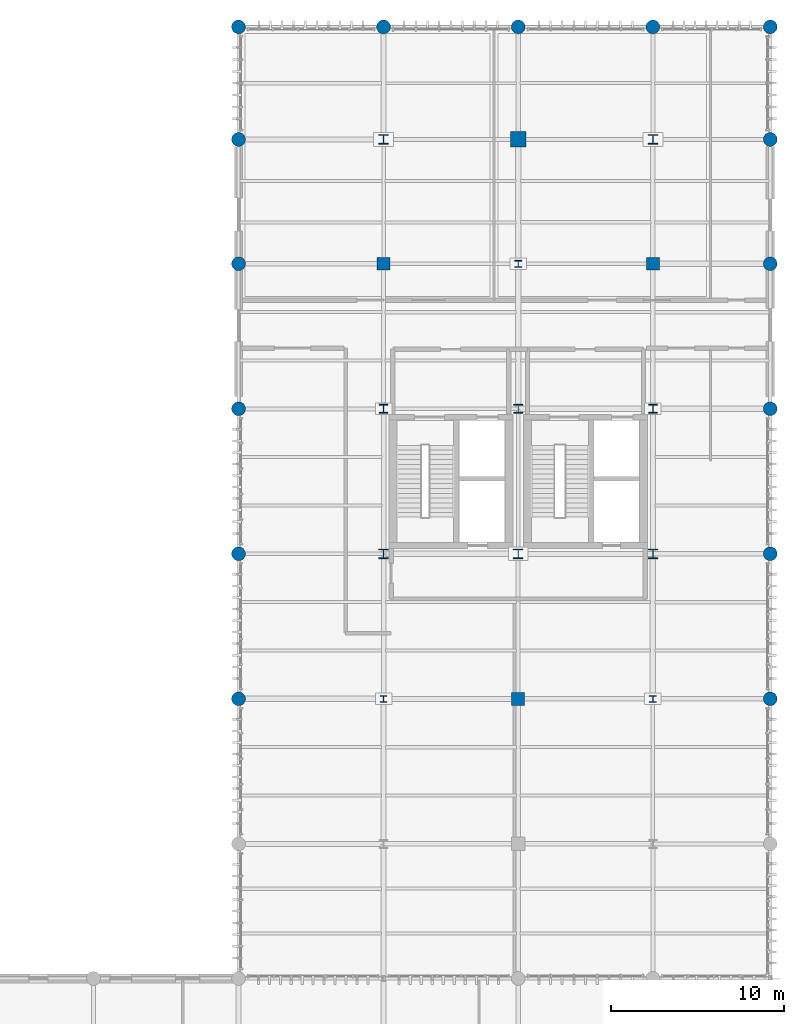
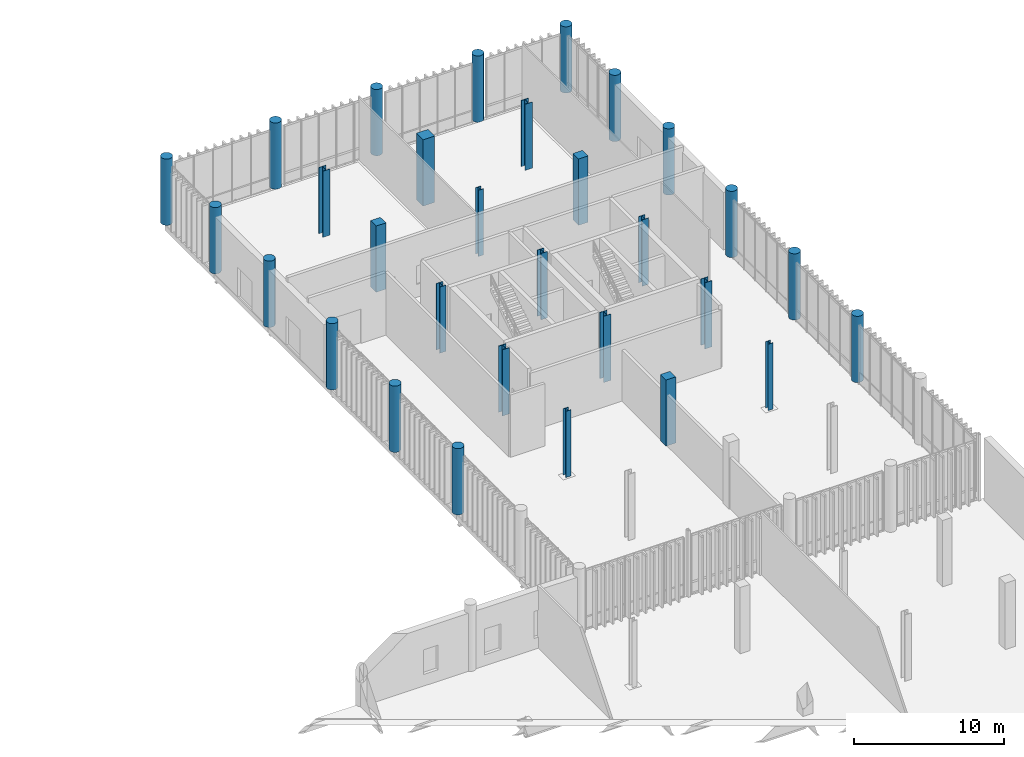
# One storey, part 13 of 112: 30 columns.
"""IFC4 building model written with IfcOpenShell, lengths in metres."""

from ifc_helpers import new_model, si_unit, direction, frame, origin_with_axes, origin_2d_with_axis, place, context, subcontext, project, spatial, rectangle, circle, i_section, extrude, material, material_profile, profile_set, type_object, element, save


model = new_model("IFC4")

# Units and contexts
model_context = context("Model", 3, precision=1e-05, world=origin_with_axes(), true_north=direction((0.0, 1.0)))
body_context = subcontext(model_context, "Body", "Model", "MODEL_VIEW")
ifc_project = project(units=[si_unit("LENGTHUNIT", "METRE"), si_unit("AREAUNIT", "SQUARE_METRE"), si_unit("VOLUMEUNIT", "CUBIC_METRE"), si_unit("PLANEANGLEUNIT", "RADIAN"), si_unit("MASSUNIT", "GRAM", prefix="KILO"), si_unit("THERMODYNAMICTEMPERATUREUNIT", "KELVIN")], contexts=[model_context])

# Site, building, storey
site_placement = place(None, origin_with_axes())
site = spatial("IfcSite", under=ifc_project, at=site_placement, CompositionType="ELEMENT")
building_placement = place(site_placement, origin_with_axes())
building = spatial("IfcBuilding", under=site, at=building_placement, Name="Montbau Bow Law Courts", CompositionType="ELEMENT")
storey_placement = place(building_placement, origin_with_axes())
storey = spatial("IfcBuildingStorey", under=building, at=storey_placement, Name="L00", CompositionType="ELEMENT", Elevation=0.0)

# Columns
ifc_material_1 = material(Name="Concrete CSA A23.1 f'c 45 MPa", Category="concrete")
ifc_material_profile_1 = material_profile(ifc_material_1, rectangle(XDim=0.9, YDim=0.9, at=origin_2d_with_axis()), Name="RC900X900", Category="Main", Priority=0)
ifc_profile_set_1 = profile_set([ifc_material_profile_1], Name="Concrete CSA A23.1 f'c 45 MPa")
column_type_1 = type_object("IfcColumnType", Name="C-RC-01", PredefinedType="COLUMN", material=ifc_profile_set_1)
column_placement = place(None, frame((154.8, 110.4, 0.0), z_axis=(0.0, 0.0, 1.0), x_axis=(1.0, 0.0, 0.0)))
element("IfcColumn", 1, at=column_placement, inside=storey, type_object=column_type_1, Name="C-L00-S0327:col2_0327", PredefinedType="COLUMN", context=body_context, shape_type="SweptSolid", body=[
    extrude(rectangle(XDim=0.9, YDim=0.9, at=origin_2d_with_axis()), origin_with_axes(), (0.0, 0.0, 1.0), 5.4),
])
ifc_material_2 = material(Name="Concrete CSA A23.1 f'c 40 MPa", Category="concrete")
ifc_material_profile_2 = material_profile(ifc_material_2, rectangle(XDim=0.75, YDim=0.75, at=origin_2d_with_axis()), Name="RC750X750", Category="Main", Priority=0)
ifc_profile_set_2 = profile_set([ifc_material_profile_2], Name="Concrete CSA A23.1 f'c 40 MPa")
column_type_2 = type_object("IfcColumnType", Name="C-RC-03", PredefinedType="COLUMN", material=ifc_profile_set_2)
for number, where, z_axis, x_axis, name in (
    (2, (147.0, 103.2, 0.0), (0.0, 0.0, 1.0), (1.0, 0.0, 0.0), "C-L00-S0311:col2_0311"),
    (3, (154.8, 78.0, 0.0), (0.0, 0.0, 1.0), (1.0, 0.0, 0.0), "C-L00-S0323:col2_0323"),
    (4, (162.6, 103.2, 0.0), (0.0, 0.0, 1.0), (1.0, 0.0, 0.0), "C-L00-S0341:col2_0341"),
):
    element("IfcColumn", number, at=place(None, frame(where, z_axis=z_axis, x_axis=x_axis)), inside=storey, type_object=column_type_2, Name=name, PredefinedType="COLUMN", context=body_context, shape_type="SweptSolid", body=[
        extrude(rectangle(XDim=0.75, YDim=0.75, at=origin_2d_with_axis()), origin_with_axes(), (0.0, 0.0, 1.0), 5.4),
    ])
ifc_material_profile_3 = material_profile(ifc_material_2, circle(Radius=0.4, at=origin_2d_with_axis()), Name="RC800D", Category="Main", Priority=0)
ifc_profile_set_3 = profile_set([ifc_material_profile_3], Name="Concrete CSA A23.1 f'c 40 MPa")
column_type_3 = type_object("IfcColumnType", Name="C-RC-07", PredefinedType="COLUMN", material=ifc_profile_set_3)
for number, where, z_axis, x_axis, name in (
    (5, (138.6, 78.0, 0.0), (0.0, 0.0, 1.0), (1.0, 0.0, 0.0), "C-L00-S0293:col2_0293"),
    (6, (138.6, 86.4, 0.0), (0.0, 0.0, 1.0), (1.0, 0.0, 0.0), "C-L00-S0294:col2_0294"),
    (7, (138.6, 94.8, 0.0), (0.0, 0.0, 1.0), (1.0, 0.0, 0.0), "C-L00-S0295:col2_0295"),
    (8, (138.6, 103.2, 0.0), (0.0, 0.0, 1.0), (1.0, 0.0, 0.0), "C-L00-S0296:col2_0296"),
    (9, (138.6, 110.4, 0.0), (0.0, 0.0, 1.0), (1.0, 0.0, 0.0), "C-L00-S0297:col2_0297"),
    (10, (138.6, 116.92, 0.0), (0.0, 0.0, 1.0), (1.0, 0.0, 0.0), "C-L00-S0298:col2_0298"),
    (11, (147.0, 116.92, 0.0), (0.0, 0.0, 1.0), (1.0, 0.0, 0.0), "C-L00-S0313:col2_0313"),
    (12, (154.8, 116.92, 0.0), (0.0, 0.0, 1.0), (1.0, 0.0, 0.0), "C-L00-S0328:col2_0328"),
    (13, (162.6, 116.92, 0.0), (0.0, 0.0, 1.0), (1.0, 0.0, 0.0), "C-L00-S0343:col2_0343"),
    (14, (169.4, 78.0, 0.0), (0.0, 0.0, 1.0), (1.0, 0.0, 0.0), "C-L00-S0353:col2_0353"),
    (15, (169.4, 86.4, 0.0), (0.0, 0.0, 1.0), (1.0, 0.0, 0.0), "C-L00-S0354:col2_0354"),
    (16, (169.4, 94.8, 0.0), (0.0, 0.0, 1.0), (1.0, 0.0, 0.0), "C-L00-S0355:col2_0355"),
    (17, (169.4, 103.2, 0.0), (0.0, 0.0, 1.0), (1.0, 0.0, 0.0), "C-L00-S0356:col2_0356"),
    (18, (169.4, 110.4, 0.0), (0.0, 0.0, 1.0), (1.0, 0.0, 0.0), "C-L00-S0357:col2_0357"),
    (19, (169.4, 116.92, 0.0), (0.0, 0.0, 1.0), (1.0, 0.0, 0.0), "C-L00-S0358:col2_0358"),
):
    element("IfcColumn", number, at=place(None, frame(where, z_axis=z_axis, x_axis=x_axis)), inside=storey, type_object=column_type_3, Name=name, PredefinedType="COLUMN", context=body_context, shape_type="SweptSolid", body=[
        extrude(circle(Radius=0.4, at=origin_2d_with_axis()), origin_with_axes(), (0.0, 0.0, 1.0), 5.4),
    ])
ifc_material_3 = material(Name="Steel CSA G40.21 Grade 350W (350 MPa)", Category="steel")
ifc_material_profile_4 = material_profile(ifc_material_3, i_section(OverallWidth=0.55, OverallDepth=0.55, WebThickness=0.025, FlangeThickness=0.042, at=origin_2d_with_axis()), Name="WWF550X420", Category="Main", Priority=0)
ifc_profile_set_4 = profile_set([ifc_material_profile_4], Name="Steel CSA G40.21 Grade 350W (350 MPa)")
column_type_4 = type_object("IfcColumnType", Name="C-STL-01", PredefinedType="COLUMN", material=ifc_profile_set_4)
for number, where, z_axis, x_axis, name in (
    (20, (147.0, 86.4, 0.0), (0.0, 0.0, 1.0), (1.0, 0.0, 0.0), "C-L00-S0309:col2_0309"),
    (21, (147.0, 110.4, 0.0), (0.0, 0.0, 1.0), (1.0, 0.0, 0.0), "C-L00-S0312:col2_0312"),
    (22, (154.8, 86.4, 0.0), (0.0, 0.0, 1.0), (1.0, 0.0, 0.0), "C-L00-S0324:col2_0324"),
    (23, (162.6, 86.4, 0.0), (0.0, 0.0, 1.0), (1.0, 0.0, 0.0), "C-L00-S0339:col2_0339"),
    (24, (162.6, 110.4, 0.0), (0.0, 0.0, 1.0), (1.0, 0.0, 0.0), "C-L00-S0342:col2_0342"),
):
    element("IfcColumn", number, at=place(None, frame(where, z_axis=z_axis, x_axis=x_axis)), inside=storey, type_object=column_type_4, Name=name, PredefinedType="COLUMN", context=body_context, shape_type="SweptSolid", body=[
        extrude(i_section(OverallWidth=0.55, OverallDepth=0.55, WebThickness=0.025, FlangeThickness=0.042, at=origin_2d_with_axis()), origin_with_axes(), (0.0, 0.0, 1.0), 5.4),
    ])
ifc_material_profile_5 = material_profile(ifc_material_3, i_section(OverallWidth=0.5, OverallDepth=0.5, WebThickness=0.022, FlangeThickness=0.036, at=origin_2d_with_axis()), Name="WWF500X343", Category="Main", Priority=0)
ifc_profile_set_5 = profile_set([ifc_material_profile_5], Name="Steel CSA G40.21 Grade 350W (350 MPa)")
column_type_5 = type_object("IfcColumnType", Name="C-STL-02", PredefinedType="COLUMN", material=ifc_profile_set_5)
for number, where, z_axis, x_axis, name in (
    (25, (147.0, 94.8, 0.0), (0.0, 0.0, 1.0), (1.0, 0.0, 0.0), "C-L00-S0310:col2_0310"),
    (26, (154.8, 94.8, 0.0), (0.0, 0.0, 1.0), (1.0, 0.0, 0.0), "C-L00-S0325:col2_0325"),
    (27, (162.6, 94.8, 0.0), (0.0, 0.0, 1.0), (1.0, 0.0, 0.0), "C-L00-S0340:col2_0340"),
):
    element("IfcColumn", number, at=place(None, frame(where, z_axis=z_axis, x_axis=x_axis)), inside=storey, type_object=column_type_5, Name=name, PredefinedType="COLUMN", context=body_context, shape_type="SweptSolid", body=[
        extrude(i_section(OverallWidth=0.5, OverallDepth=0.5, WebThickness=0.022, FlangeThickness=0.036, at=origin_2d_with_axis()), origin_with_axes(), (0.0, 0.0, 1.0), 5.4),
    ])
ifc_material_profile_6 = material_profile(ifc_material_3, i_section(OverallWidth=0.395, OverallDepth=0.38, WebThickness=0.0189, FlangeThickness=0.0302, at=origin_2d_with_axis()), Name="W360X237", Category="Main", Priority=0)
ifc_profile_set_6 = profile_set([ifc_material_profile_6], Name="Steel CSA G40.21 Grade 350W (350 MPa)")
column_type_6 = type_object("IfcColumnType", Name="C-STL-03", PredefinedType="COLUMN", material=ifc_profile_set_6)
for number, where, z_axis, x_axis, name in (
    (28, (147.0, 78.0, 0.0), (0.0, 0.0, 1.0), (1.0, 0.0, 0.0), "C-L00-S0308:col2_0308"),
    (29, (154.8, 103.2, 0.0), (0.0, 0.0, 1.0), (1.0, 0.0, 0.0), "C-L00-S0326:col2_0326"),
    (30, (162.6, 78.0, 0.0), (0.0, 0.0, 1.0), (1.0, 0.0, 0.0), "C-L00-S0338:col2_0338"),
):
    element("IfcColumn", number, at=place(None, frame(where, z_axis=z_axis, x_axis=x_axis)), inside=storey, type_object=column_type_6, Name=name, PredefinedType="COLUMN", context=body_context, shape_type="SweptSolid", body=[
        extrude(i_section(OverallWidth=0.395, OverallDepth=0.38, WebThickness=0.0189, FlangeThickness=0.0302, at=origin_2d_with_axis()), origin_with_axes(), (0.0, 0.0, 1.0), 5.4),
    ])

save(model, "model.ifc")
